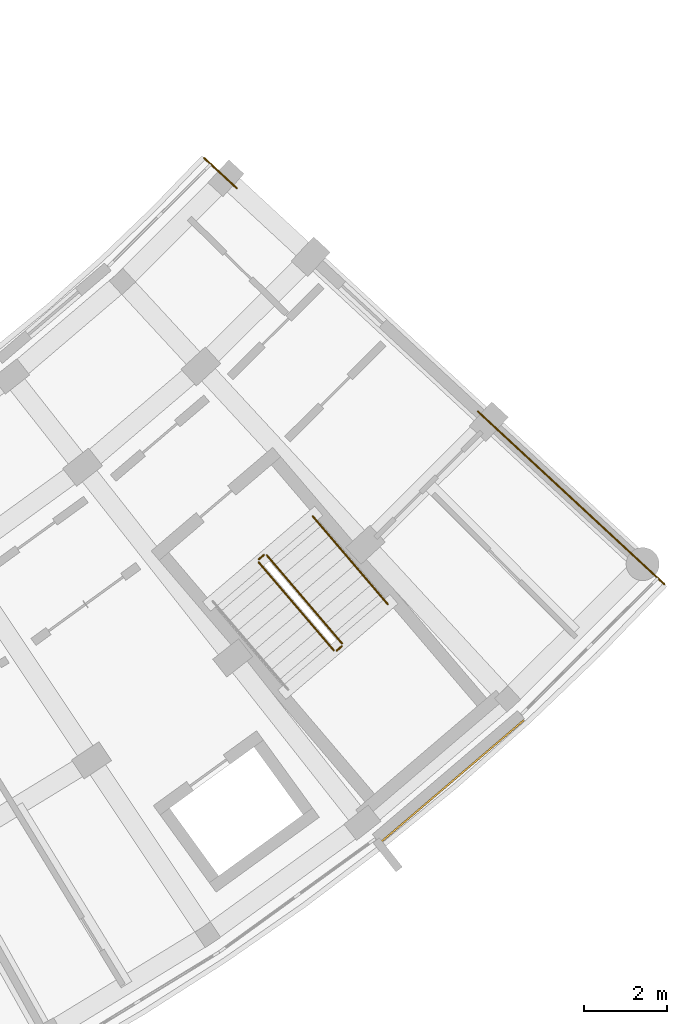
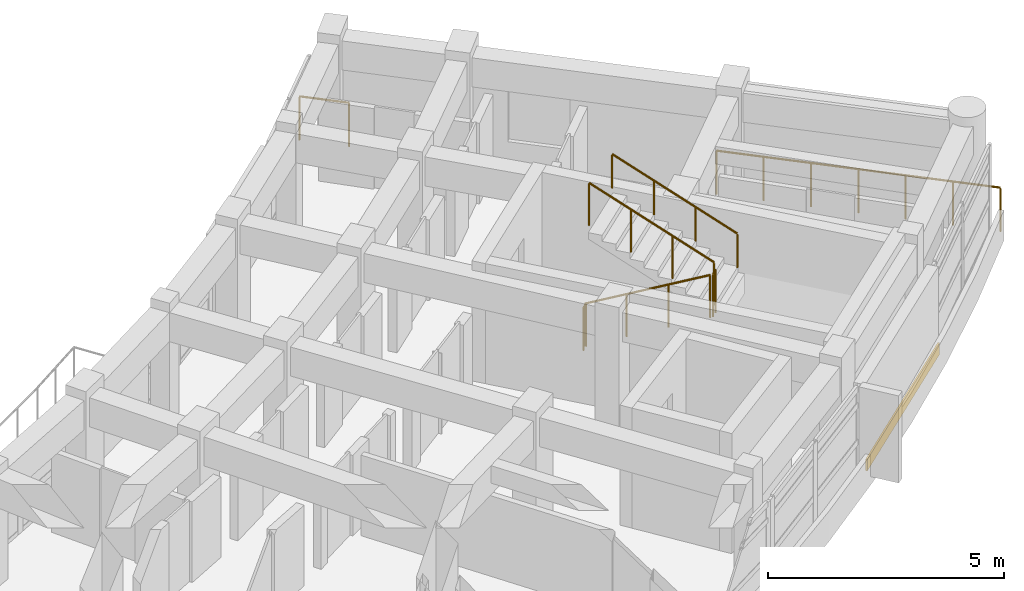
# One storey, part 56 of 56: 7 railings, 1 covering.
"""IFC4 building model written with IfcOpenShell, lengths in metres."""

from ifc_helpers import new_model, si_unit, direction, frame, origin, origin_2d, place, context, subcontext, project, spatial, rectangle, circle, extrude, material, layer, layer_set, type_object, element, save


model = new_model("IFC4")

# Units and contexts
model_context = context("Model", 3, precision=1e-05, world=origin(), true_north=direction((0.0, 1.0)))
body_context = subcontext(model_context, "Body", "Model", "MODEL_VIEW")
ifc_project = project(units=[si_unit("LENGTHUNIT", "METRE"), si_unit("AREAUNIT", "SQUARE_METRE"), si_unit("VOLUMEUNIT", "CUBIC_METRE"), si_unit("PLANEANGLEUNIT", "RADIAN"), si_unit("MASSUNIT", "GRAM", prefix="KILO")], contexts=[model_context])

# Site, building, storey
site_placement = place(None, origin())
site = spatial("IfcSite", under=ifc_project, at=site_placement, CompositionType="ELEMENT")
building_placement = place(site_placement, origin())
building = spatial("IfcBuilding", under=site, at=building_placement, Name="Zimvara Arc Housing Community", CompositionType="ELEMENT")
storey_placement = place(building_placement, frame((0.0, 0.0, 11.199951171875)))
storey = spatial("IfcBuildingStorey", under=building, at=storey_placement, Name="L03", CompositionType="ELEMENT", Elevation=11.199951171875)

# Covering
ifc_material_1 = material(Name="Pale-Gold Anodised Aluminium Cladding", Category="aluminium")
ifc_layer = layer(ifc_material_1, 0.0400390625)
ifc_layer_set = layer_set([ifc_layer], Name="Pale-Gold Anodised Aluminium Cladding")
covering_type = type_object("IfcCoveringType", Name="CLD-GOLD-01", PredefinedType="CLADDING", material=ifc_layer_set)
covering_placement = place(storey_placement, frame((164.570556640625, 64.596435546875, 0.01025390625), z_axis=(0.0, 0.0, 1.0), x_axis=(0.760971293982, 0.648785549882, 0.0)))
element("IfcCovering", 1, at=covering_placement, inside=storey, type_object=covering_type, Name="cld:blkD:L03:out:b8", PredefinedType="CLADDING", context=body_context, shape_type="SweptSolid", body=[
    extrude(rectangle(XDim=4.5625, YDim=0.0400390625, at=origin_2d()), origin(), (0.0, 0.0, 1.0), 0.300048828125),
])

# Railings
ifc_material_2 = material(Name="Anodised Aluminium AW-6063", Category="aluminium")
railing_type_1 = type_object("IfcRailingType", Name="RLG-BAL-1120", PredefinedType="BALUSTRADE", material=ifc_material_2)
railing_1_placement = place(storey_placement, frame((159.87744140625, 69.900634765625, 0.155029296875)))
element("IfcRailing", 2, at=railing_1_placement, inside=storey, type_object=railing_type_1, Name="L03 ST-D2 stair guard 1", PredefinedType="BALUSTRADE", context=body_context, shape_type="SweptSolid", body=[
    extrude(circle(Radius=0.02392578125, at=origin_2d()), frame((0.0, 0.0, 1.09619140625), z_axis=(0.581041388364, -0.681489443978, 0.444930379672), x_axis=(0.760960200111, 0.648798561841, 0.0)), (0.0, 0.0, 1.0), 3.13525390625),
    extrude(circle(Radius=0.02099609375, at=origin_2d()), origin(), (0.0, 0.0, 1.0), 1.072021484375),
    extrude(circle(Radius=0.02099609375, at=origin_2d()), frame((0.607177734375, -0.712158203125, 0.465087890625)), (0.0, 0.0, 1.0), 1.072021484375),
    extrude(circle(Radius=0.02099609375, at=origin_2d()), frame((1.214599609375, -1.424560546875, 0.929931640625)), (0.0, 0.0, 1.0), 1.072021484375),
    extrude(circle(Radius=0.02099609375, at=origin_2d()), frame((1.82177734375, -2.13671875, 1.39501953125)), (0.0, 0.0, 1.0), 1.072021484375),
])
railing_2_placement = place(storey_placement, frame((161.76953125, 67.75830078125, 1.550048828125)))
element("IfcRailing", 3, at=railing_2_placement, inside=storey, type_object=railing_type_1, Name="L03 ST-D2 stair guard 2", PredefinedType="BALUSTRADE", context=body_context, shape_type="SweptSolid", body=[
    extrude(circle(Radius=0.02392578125, at=origin_2d()), frame((0.0, 0.0, 1.09619140625), z_axis=(0.761299014529, 0.648400964278, 0.0), x_axis=(-0.648400964278, 0.761299014529, 0.0)), (0.0, 0.0, 1.0), 0.159912109375),
    extrude(circle(Radius=0.02099609375, at=origin_2d()), origin(), (0.0, 0.0, 1.0), 1.072021484375),
    extrude(circle(Radius=0.02099609375, at=origin_2d()), frame((0.121826171875, 0.103759765625, 0.0)), (0.0, 0.0, 1.0), 1.072021484375),
])
railing_3_placement = place(storey_placement, frame((161.89697265625, 67.9326171875, 1.705078125)))
element("IfcRailing", 4, at=railing_3_placement, inside=storey, type_object=railing_type_1, Name="L03 ST-D2 stair guard 3", PredefinedType="BALUSTRADE", context=body_context, shape_type="SweptSolid", body=[
    extrude(circle(Radius=0.02392578125, at=origin_2d()), frame((0.0, 0.0, 1.09619140625), z_axis=(-0.581041388364, 0.681489443978, 0.444930379672), x_axis=(-0.760960200111, -0.648798561841, 0.0)), (0.0, 0.0, 1.0), 3.13525390625),
    extrude(circle(Radius=0.02099609375, at=origin_2d()), origin(), (0.0, 0.0, 1.0), 1.072021484375),
    extrude(circle(Radius=0.02099609375, at=origin_2d()), frame((-0.607177734375, 0.712158203125, 0.465087890625)), (0.0, 0.0, 1.0), 1.072021484375),
    extrude(circle(Radius=0.02099609375, at=origin_2d()), frame((-1.214599609375, 1.424560546875, 0.929931640625)), (0.0, 0.0, 1.0), 1.072021484375),
    extrude(circle(Radius=0.02099609375, at=origin_2d()), frame((-1.82177734375, 2.13671875, 1.39501953125)), (0.0, 0.0, 1.0), 1.072021484375),
])
railing_4_placement = place(storey_placement, frame((159.883056640625, 69.97119140625, 0.0)))
element("IfcRailing", 5, at=railing_4_placement, inside=storey, type_object=railing_type_1, Name="L03 ST-D2 stair guard 4", PredefinedType="BALUSTRADE", context=body_context, shape_type="SweptSolid", body=[
    extrude(circle(Radius=0.02392578125, at=origin_2d()), frame((0.0, 0.0, 1.09619140625), z_axis=(0.760656476318, 0.649154623364, 0.0), x_axis=(-0.649154623364, 0.760656476318, 0.0)), (0.0, 0.0, 1.0), 0.159912109375),
    extrude(circle(Radius=0.02099609375, at=origin_2d()), origin(), (0.0, 0.0, 1.0), 1.072021484375),
    extrude(circle(Radius=0.02099609375, at=origin_2d()), frame((0.12158203125, 0.103759765625, 0.0)), (0.0, 0.0, 1.0), 1.072021484375),
])
ifc_material_3 = material(Name="Anodised Aluminium AW-6063", Category="aluminium")
railing_type_2 = type_object("IfcRailingType", Name="RLG-BAL-1150", PredefinedType="BALUSTRADE", material=ifc_material_3)
railing_5_placement = place(storey_placement, frame((158.5576171875, 79.69287109375, 0.0)))
element("IfcRailing", 6, at=railing_5_placement, inside=storey, type_object=railing_type_2, Name="rlg:blkD:L03:gable_in:gN", PredefinedType="BALUSTRADE", context=body_context, shape_type="SweptSolid", body=[
    extrude(circle(Radius=0.02392578125, at=origin_2d()), frame((0.0, 0.0, 1.1259765625), z_axis=(0.733710590348, -0.679462117864, 0.0), x_axis=(0.679462117864, 0.733710590348, 0.0)), (0.0, 0.0, 1.0), 1.080078125),
    extrude(circle(Radius=0.02099609375, at=origin_2d()), origin(), (0.0, 0.0, 1.0), 1.101806640625),
    extrude(circle(Radius=0.02099609375, at=origin_2d()), frame((0.79248046875, -0.73388671875, 0.0)), (0.0, 0.0, 1.0), 1.101806640625),
])
railing_6_placement = place(storey_placement, frame((165.1904296875, 73.550537109375, 0.0)))
element("IfcRailing", 7, at=railing_6_placement, inside=storey, type_object=railing_type_2, Name="rlg:blkD:L03:gable_out:gN", PredefinedType="BALUSTRADE", context=body_context, shape_type="SweptSolid", body=[
    extrude(circle(Radius=0.02392578125, at=origin_2d()), frame((0.0, 0.0, 1.1259765625), z_axis=(0.733734329214, -0.67943648278, 0.0), x_axis=(0.67943648278, 0.733734329214, 0.0)), (0.0, 0.0, 1.0), 6.159912109375),
    extrude(circle(Radius=0.02099609375, at=origin_2d()), origin(), (0.0, 0.0, 1.0), 1.101806640625),
    extrude(circle(Radius=0.02099609375, at=origin_2d()), frame((0.75341796875, -0.697509765625, 0.0)), (0.0, 0.0, 1.0), 1.101806640625),
    extrude(circle(Radius=0.02099609375, at=origin_2d()), frame((1.506591796875, -1.39501953125, 0.0)), (0.0, 0.0, 1.0), 1.101806640625),
    extrude(circle(Radius=0.02099609375, at=origin_2d()), frame((2.259765625, -2.0927734375, 0.0)), (0.0, 0.0, 1.0), 1.101806640625),
    extrude(circle(Radius=0.02099609375, at=origin_2d()), frame((3.01318359375, -2.790283203125, 0.0)), (0.0, 0.0, 1.0), 1.101806640625),
    extrude(circle(Radius=0.02099609375, at=origin_2d()), frame((3.7666015625, -3.48779296875, 0.0)), (0.0, 0.0, 1.0), 1.101806640625),
    extrude(circle(Radius=0.02099609375, at=origin_2d()), frame((4.519775390625, -4.185302734375, 0.0)), (0.0, 0.0, 1.0), 1.101806640625),
])
ifc_material_4 = material(Name="Anodised Aluminium AW-6063", Category="aluminium")
railing_type_3 = type_object("IfcRailingType", Name="RLG-HND-900", PredefinedType="HANDRAIL", material=ifc_material_4)
railing_7_placement = place(storey_placement, frame((163.008056640625, 68.8798828125, 1.705078125)))
element("IfcRailing", 8, at=railing_7_placement, inside=storey, type_object=railing_type_3, Name="L03 ST-D2 stair handrail 2", PredefinedType="HANDRAIL", context=body_context, shape_type="SweptSolid", body=[
    extrude(circle(Radius=0.02392578125, at=origin_2d()), frame((0.0, 0.0, 0.8759765625), z_axis=(-0.581041388364, 0.681489443978, 0.444930379672), x_axis=(-0.760960200111, -0.648798561841, 0.0)), (0.0, 0.0, 1.0), 3.13525390625),
    extrude(circle(Radius=0.02099609375, at=origin_2d()), origin(), (0.0, 0.0, 1.0), 0.851806640625),
    extrude(circle(Radius=0.02099609375, at=origin_2d()), frame((-0.607177734375, 0.712158203125, 0.465087890625)), (0.0, 0.0, 1.0), 0.851806640625),
    extrude(circle(Radius=0.02099609375, at=origin_2d()), frame((-1.214599609375, 1.424560546875, 0.929931640625)), (0.0, 0.0, 1.0), 0.851806640625),
    extrude(circle(Radius=0.02099609375, at=origin_2d()), frame((-1.82177734375, 2.13671875, 1.39501953125)), (0.0, 0.0, 1.0), 0.851806640625),
])

save(model, "model.ifc")
